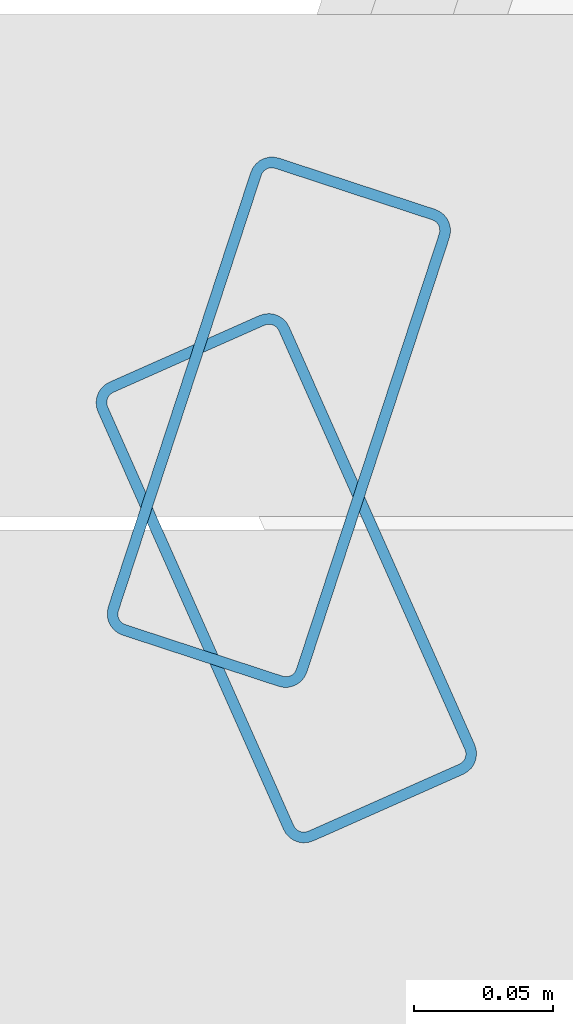
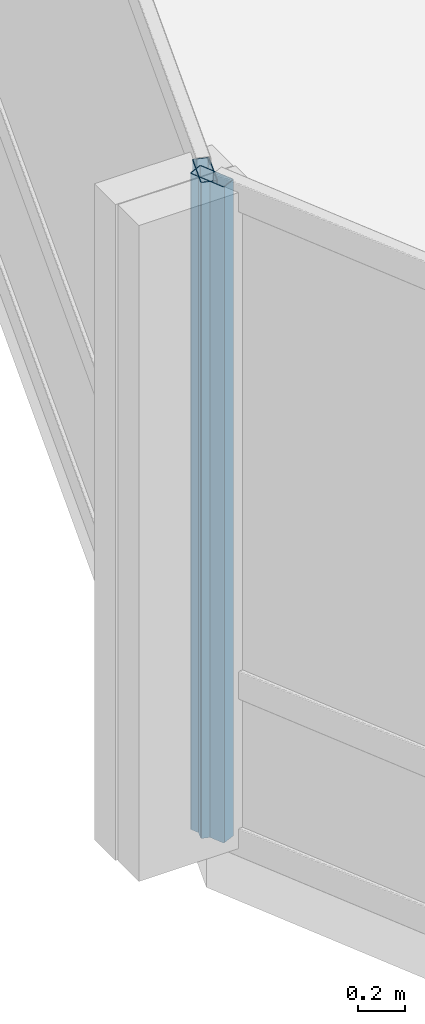
# One storey, part 6 of 29: 2 members, 2 elements without a shape of their own.
"""IFC4 building model written with IfcOpenShell, lengths in metres."""

from ifc_helpers import new_model, si_unit, direction, frame, origin, origin_2d, place, context, subcontext, project, spatial, hollow_rectangle, extrude, material, layer, layer_set, material_profile, profile_set, type_object, element, aggregate, save


model = new_model("IFC4")

# Units and contexts
model_context = context("Model", 3, precision=1e-05, world=origin(), true_north=direction((0.0, 1.0)))
body_context = subcontext(model_context, "Body", "Model", "MODEL_VIEW")
ifc_project = project(units=[si_unit("LENGTHUNIT", "METRE"), si_unit("AREAUNIT", "SQUARE_METRE"), si_unit("VOLUMEUNIT", "CUBIC_METRE"), si_unit("PLANEANGLEUNIT", "RADIAN"), si_unit("MASSUNIT", "GRAM", prefix="KILO")], contexts=[model_context])

# Site, building, storey
site_placement = place(None, origin())
site = spatial("IfcSite", under=ifc_project, at=site_placement, CompositionType="ELEMENT")
building_placement = place(site_placement, origin())
building = spatial("IfcBuilding", under=site, at=building_placement, Name="Solvaryn Broadcast Tower", CompositionType="ELEMENT")
storey_placement = place(building_placement, frame((0.0, 0.0, 121.10009765625)))
storey = spatial("IfcBuildingStorey", under=building, at=storey_placement, Name="L29", CompositionType="ELEMENT", Elevation=121.10009765625)

# Curtain wall, member
ifc_material_1 = material(Name="Aluminium and Terracotta Unitised Curtain Wall", Category="masonry")
ifc_layer = layer(ifc_material_1, 0.199951171875)
ifc_layer_set = layer_set([ifc_layer], Name="CW-SYS2-LOWMID")
curtain_wall_type = type_object("IfcCurtainWallType", Name="CW-SYS2-LOWMID", PredefinedType="NOTDEFINED", material=ifc_layer_set)
curtain_wall_1_placement = place(storey_placement, origin())
curtain_wall_1 = element("IfcCurtainWall", 1, at=curtain_wall_1_placement, inside=storey, type_object=curtain_wall_type, Name="L29 Curtain Wall DR1", PredefinedType="NOTDEFINED")
ifc_material_2 = material(Name="Anodised Aluminium 6063-T6", Category="aluminium")
ifc_material_profile = material_profile(ifc_material_2, hollow_rectangle(XDim=0.074951171875, YDim=0.179931640625, WallThickness=0.00390625, InnerFilletRadius=0.00390625, OuterFilletRadius=0.008056640625, at=origin_2d()))
ifc_profile_set = profile_set([ifc_material_profile], Name="Anodised Aluminium 6063-T6")
member_type = type_object("IfcMemberType", Name="CW-MUL-180", PredefinedType="MULLION", material=ifc_profile_set)
member_1_placement = place(storey_placement, frame((1.04345703125, 26.66455078125, 0.0), z_axis=(0.0, 0.0, 1.0), x_axis=(0.950198260794, -0.311646057547, 0.0)))
member_1 = element("IfcMember", 2, at=member_1_placement, type_object=member_type, Name="CWS2 mullion 2", PredefinedType="MULLION", context=body_context, shape_type="SweptSolid", body=[
    extrude(hollow_rectangle(XDim=0.074951171875, YDim=0.179931640625, WallThickness=0.00390625, InnerFilletRadius=0.00390625, OuterFilletRadius=0.008056640625, at=origin_2d()), origin(), (0.0, 0.0, 1.0), 3.419921875),
])
aggregate(curtain_wall_1, [member_1])

curtain_wall_2_placement = place(storey_placement, origin())
curtain_wall_2 = element("IfcCurtainWall", 3, at=curtain_wall_2_placement, inside=storey, type_object=curtain_wall_type, Name="L29 Curtain Wall DR2", PredefinedType="NOTDEFINED")
member_2_placement = place(storey_placement, frame((1.046142578125, 26.608642578125, 0.0), z_axis=(0.0, 0.0, 1.0), x_axis=(0.913909311008, 0.405918429309, 0.0)))
member_2 = element("IfcMember", 4, at=member_2_placement, type_object=member_type, Name="CWS2 mullion 1", PredefinedType="MULLION", context=body_context, shape_type="SweptSolid", body=[
    extrude(hollow_rectangle(XDim=0.074951171875, YDim=0.179931640625, WallThickness=0.00390625, InnerFilletRadius=0.00390625, OuterFilletRadius=0.008056640625, at=origin_2d()), origin(), (0.0, 0.0, 1.0), 3.419921875),
])
aggregate(curtain_wall_2, [member_2])

save(model, "model.ifc")
